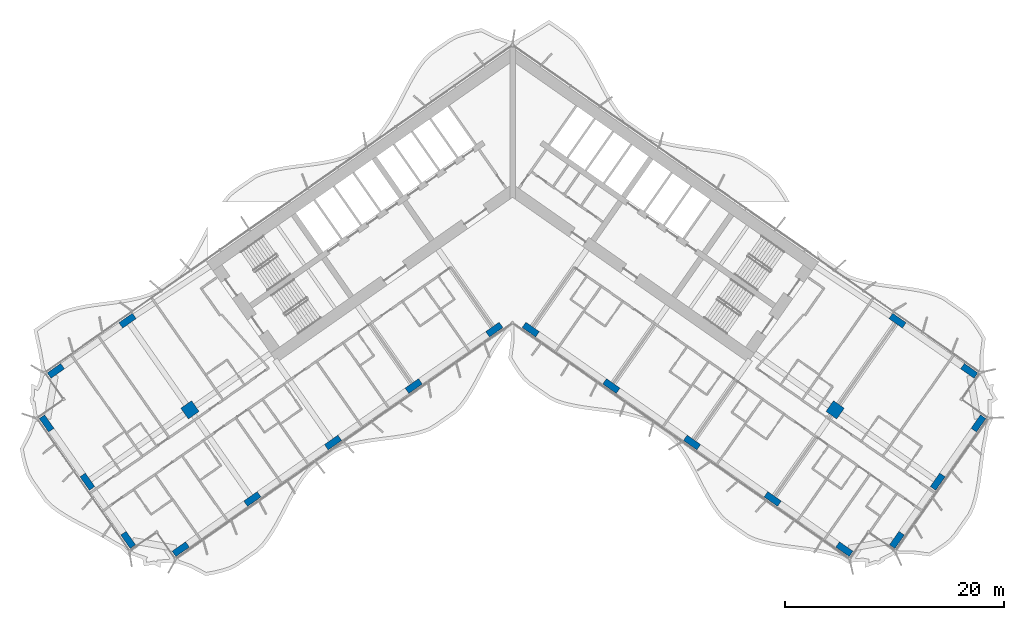
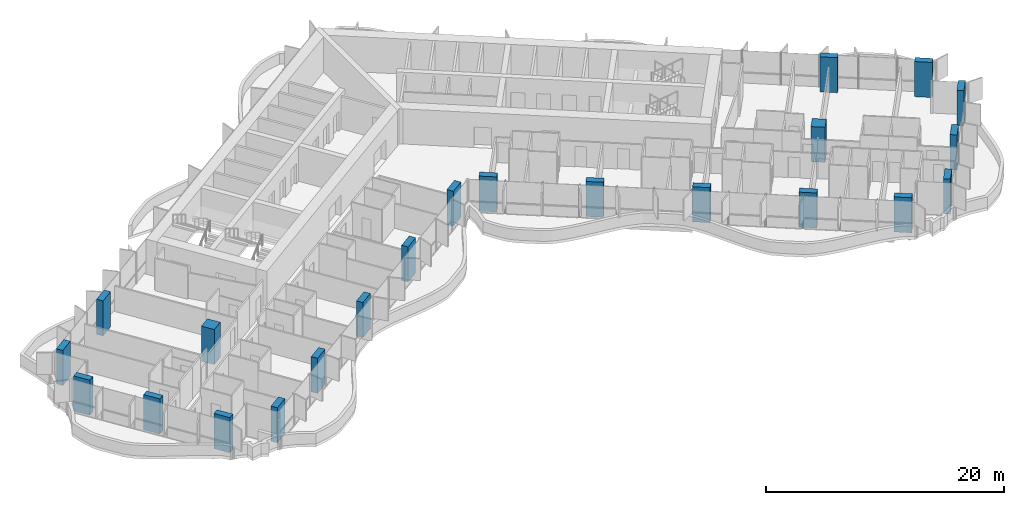
# One storey, part 1 of 25: 22 columns.
"""IFC4 building model written with IfcOpenShell, lengths in metres."""

from ifc_helpers import new_model, si_unit, direction, frame, origin, origin_2d, place, context, subcontext, project, spatial, rectangle, extrude, material, material_profile, profile_set, type_object, element, save


model = new_model("IFC4")

# Units and contexts
model_context = context("Model", 3, precision=1e-05, world=origin(), true_north=direction((0.0, 1.0)))
body_context = subcontext(model_context, "Body", "Model", "MODEL_VIEW")
ifc_project = project(units=[si_unit("LENGTHUNIT", "METRE"), si_unit("AREAUNIT", "SQUARE_METRE"), si_unit("VOLUMEUNIT", "CUBIC_METRE"), si_unit("PLANEANGLEUNIT", "RADIAN"), si_unit("MASSUNIT", "GRAM", prefix="KILO")], contexts=[model_context])

# Site, building, storey
site_placement = place(None, origin())
site = spatial("IfcSite", under=ifc_project, at=site_placement, CompositionType="ELEMENT")
building_placement = place(site_placement, origin())
building = spatial("IfcBuilding", under=site, at=building_placement, Name="Tel Ilan Convention Tower", CompositionType="ELEMENT")
storey_placement = place(building_placement, frame((0.0, 0.0, 61.699951171875)))
storey = spatial("IfcBuildingStorey", under=building, at=storey_placement, Name="L10", CompositionType="ELEMENT", Elevation=61.699951171875)

# Columns
ifc_material_1 = material(Name="Concrete C60/75", Category="concrete")
ifc_material_profile_1 = material_profile(ifc_material_1, rectangle(XDim=1.199951171875, YDim=1.199951171875, at=origin_2d()), Name="RC 1200x1200")
ifc_profile_set_1 = profile_set([ifc_material_profile_1], Name="Concrete C60/75")
column_type_1 = type_object("IfcColumnType", Name="Column RC 1200x1200 C60/75", PredefinedType="COLUMN", material=ifc_profile_set_1)
for number, where, z_axis, x_axis, name in (
    (1, (-29.489501953125, -20.648681640625, 0.0), (0.0, 0.0, 1.0), (-0.819152044289, -0.573576436351, 0.0), "L10 column W-M4"),
    (2, (29.489501953125, -20.648681640625, 0.0), (0.0, 0.0, 1.0), (0.819152044289, -0.573576436351, 0.0), "L10 column E-M4"),
):
    element("IfcColumn", number, at=place(storey_placement, frame(where, z_axis=z_axis, x_axis=x_axis)), inside=storey, type_object=column_type_1, Name=name, PredefinedType="COLUMN", context=body_context, shape_type="SweptSolid", body=[
        extrude(rectangle(XDim=1.199951171875, YDim=1.199951171875, at=origin_2d()), origin(), (0.0, 0.0, 1.0), 3.60009765625),
    ])
ifc_material_2 = material(Name="Concrete C60/75", Category="concrete")
ifc_material_profile_2 = material_profile(ifc_material_2, rectangle(XDim=1.5, YDim=0.60009765625, at=origin_2d()), Name="RC 600x1500")
ifc_profile_set_2 = profile_set([ifc_material_profile_2], Name="Concrete C60/75")
column_type_2 = type_object("IfcColumnType", Name="Column RC 600x1500 C60/75", PredefinedType="COLUMN", material=ifc_profile_set_2)
for number, where, z_axis, x_axis, name in (
    (3, (-1.665283203125, -13.312744140625, 0.0), (0.0, 0.0, 1.0), (-0.819152044289, -0.573576436351, 0.0), "L10 column W-F1"),
    (4, (-9.03759765625, -18.474853515625, 0.0), (0.0, 0.0, 1.0), (-0.819152044289, -0.573576436351, 0.0), "L10 column W-F2"),
    (5, (-16.409912109375, -23.63720703125, 0.0), (0.0, 0.0, 1.0), (-0.819152044289, -0.573576436351, 0.0), "L10 column W-F3"),
    (6, (-23.782470703125, -28.79931640625, 0.0), (0.0, 0.0, 1.0), (-0.819152044289, -0.573576436351, 0.0), "L10 column W-F4"),
    (7, (-30.335693359375, -33.387939453125, 0.0), (0.0, 0.0, 1.0), (-0.819152044289, -0.573576436351, 0.0), "L10 column W-FC"),
    (8, (-35.196533203125, -12.498291015625, 0.0), (0.0, 0.0, 1.0), (-0.819152044289, -0.573576436351, 0.0), "L10 column W-B4"),
    (9, (-41.749755859375, -17.0869140625, 0.0), (0.0, 0.0, 1.0), (-0.819152044289, -0.573576436351, 0.0), "L10 column W-BC"),
    (10, (-35.140380859375, -32.540771484375, 0.0), (0.0, 0.0, 1.0), (-0.573576436351, 0.819152044289, 0.0), "L10 column W-E1"),
    (11, (-38.868896484375, -27.21630859375, 0.0), (0.0, 0.0, 1.0), (-0.573576436351, 0.819152044289, 0.0), "L10 column W-E2"),
    (12, (-42.596923828125, -21.8916015625, 0.0), (0.0, 0.0, 1.0), (-0.573576436351, 0.819152044289, 0.0), "L10 column W-E3"),
    (13, (1.665283203125, -13.312744140625, 0.0), (0.0, 0.0, 1.0), (0.819152044289, -0.573576436351, 0.0), "L10 column E-F1"),
    (14, (9.03759765625, -18.474853515625, 0.0), (0.0, 0.0, 1.0), (0.819152044289, -0.573576436351, 0.0), "L10 column E-F2"),
    (15, (16.409912109375, -23.63720703125, 0.0), (0.0, 0.0, 1.0), (0.819152044289, -0.573576436351, 0.0), "L10 column E-F3"),
    (16, (23.782470703125, -28.79931640625, 0.0), (0.0, 0.0, 1.0), (0.819152044289, -0.573576436351, 0.0), "L10 column E-F4"),
    (17, (30.335693359375, -33.387939453125, 0.0), (0.0, 0.0, 1.0), (0.819152044289, -0.573576436351, 0.0), "L10 column E-FC"),
    (18, (35.196533203125, -12.498291015625, 0.0), (0.0, 0.0, 1.0), (0.819152044289, -0.573576436351, 0.0), "L10 column E-B4"),
    (19, (41.749755859375, -17.0869140625, 0.0), (0.0, 0.0, 1.0), (0.819152044289, -0.573576436351, 0.0), "L10 column E-BC"),
    (20, (35.140380859375, -32.540771484375, 0.0), (0.0, 0.0, 1.0), (0.573576436351, 0.819152044289, 0.0), "L10 column E-E1"),
    (21, (38.868896484375, -27.21630859375, 0.0), (0.0, 0.0, 1.0), (0.573576436351, 0.819152044289, 0.0), "L10 column E-E2"),
    (22, (42.596923828125, -21.8916015625, 0.0), (0.0, 0.0, 1.0), (0.573576436351, 0.819152044289, 0.0), "L10 column E-E3"),
):
    element("IfcColumn", number, at=place(storey_placement, frame(where, z_axis=z_axis, x_axis=x_axis)), inside=storey, type_object=column_type_2, Name=name, PredefinedType="COLUMN", context=body_context, shape_type="SweptSolid", body=[
        extrude(rectangle(XDim=1.5, YDim=0.60009765625, at=origin_2d()), origin(), (0.0, 0.0, 1.0), 3.60009765625),
    ])

save(model, "model.ifc")
